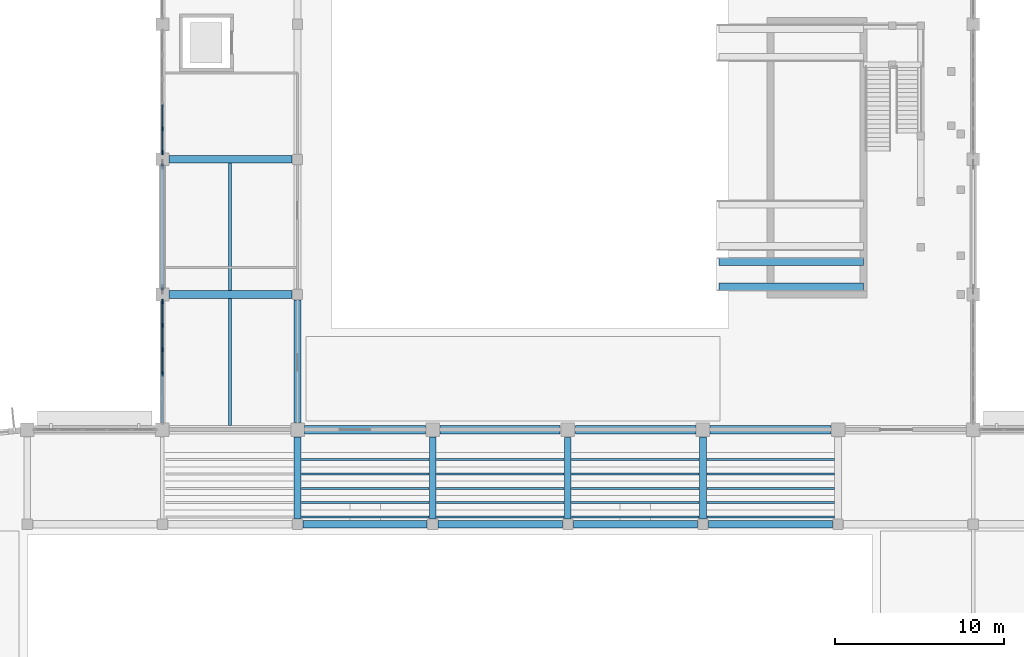
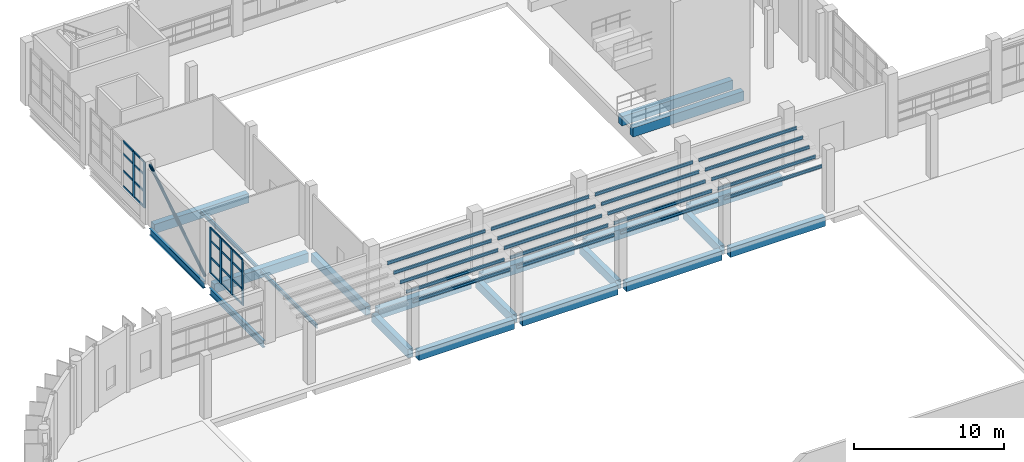
# One storey, part 27 of 103: 41 beams, 27 members, 2 elements without a shape of their own.
"""IFC4 building model written with IfcOpenShell, lengths in metres."""

from ifc_helpers import new_model, si_unit, direction, frame, origin, origin_2d, place, context, subcontext, project, spatial, rectangle, hollow_circle, i_section, extrude, material, layer, layer_set, material_profile, profile_set, type_object, element, aggregate, save


model = new_model("IFC4")

# Units and contexts
model_context = context("Model", 3, precision=1e-05, world=origin(), true_north=direction((0.0, 1.0)))
body_context = subcontext(model_context, "Body", "Model", "MODEL_VIEW")
ifc_project = project(units=[si_unit("LENGTHUNIT", "METRE"), si_unit("AREAUNIT", "SQUARE_METRE"), si_unit("VOLUMEUNIT", "CUBIC_METRE"), si_unit("PLANEANGLEUNIT", "RADIAN"), si_unit("MASSUNIT", "GRAM", prefix="KILO")], contexts=[model_context])

# Site, building, storey
site_placement = place(None, origin())
site = spatial("IfcSite", under=ifc_project, at=site_placement, CompositionType="ELEMENT")
building_placement = place(site_placement, origin())
building = spatial("IfcBuilding", under=site, at=building_placement, Name="Drelvana Railside Aquatics Centre", CompositionType="ELEMENT")
storey_placement = place(building_placement, origin())
storey = spatial("IfcBuildingStorey", under=building, at=storey_placement, Name="L00", CompositionType="ELEMENT", Elevation=0.0)

# Curtain wall, members
ifc_material_1 = material(Name="Bronze-anodised aluminium curtain wall", Category="aluminium")
ifc_layer = layer(ifc_material_1, 0.2099609375, Name="Bronze-anodised aluminium curtain wall")
ifc_layer_set = layer_set([ifc_layer], Name="Bronze-anodised aluminium curtain wall")
curtain_wall_type = type_object("IfcCurtainWallType", Name="CW-Z7-DIVE", PredefinedType="NOTDEFINED", material=ifc_layer_set)
curtain_wall_1_placement = place(storey_placement, origin())
curtain_wall_1 = element("IfcCurtainWall", 1, at=curtain_wall_1_placement, inside=storey, type_object=curtain_wall_type, Name="Curtain wall CW-07-081", PredefinedType="NOTDEFINED")
ifc_material_2 = material(Name="Bronze-anodised aluminium 6063-T6", Category="aluminium")
ifc_material_profile_1 = material_profile(ifc_material_2, rectangle(XDim=0.080078125, YDim=0.25, at=origin_2d()), Name="ALU-M 80x250")
ifc_profile_set_1 = profile_set([ifc_material_profile_1], Name="Bronze-anodised aluminium 6063-T6")
member_type_1 = type_object("IfcMemberType", Name="CW-Z7-DIVE-MUL", PredefinedType="MULLION", material=ifc_profile_set_1)
member_1_placement = place(storey_placement, frame((24.0, 87.288818359375, 0.843994140625), z_axis=(0.0, 0.0, 1.0), x_axis=(-1.0, 0.0, 0.0)))
member_1 = element("IfcMember", 2, at=member_1_placement, type_object=member_type_1, Name="CW-07 mullion 3", PredefinedType="MULLION", context=body_context, shape_type="SweptSolid", body=[
    extrude(rectangle(XDim=0.080078125, YDim=0.25, at=origin_2d()), origin(), (0.0, 0.0, 1.0), 3.7109375),
])
member_2_placement = place(storey_placement, frame((24.0, 88.736083984375, 0.843994140625), z_axis=(0.0, 0.0, 1.0), x_axis=(-1.0, 0.0, 0.0)))
member_2 = element("IfcMember", 3, at=member_2_placement, type_object=member_type_1, Name="CW-07 mullion 4", PredefinedType="MULLION", context=body_context, shape_type="SweptSolid", body=[
    extrude(rectangle(XDim=0.080078125, YDim=0.25, at=origin_2d()), origin(), (0.0, 0.0, 1.0), 3.7109375),
])
member_3_placement = place(storey_placement, frame((24.0, 90.18359375, 0.843994140625), z_axis=(0.0, 0.0, 1.0), x_axis=(-1.0, 0.0, 0.0)))
member_3 = element("IfcMember", 4, at=member_3_placement, type_object=member_type_1, Name="CW-07 mullion 5", PredefinedType="MULLION", context=body_context, shape_type="SweptSolid", body=[
    extrude(rectangle(XDim=0.080078125, YDim=0.25, at=origin_2d()), origin(), (0.0, 0.0, 1.0), 3.7109375),
])
member_4_placement = place(storey_placement, frame((24.0, 91.591064453125, 0.843994140625), z_axis=(0.0, 0.0, 1.0), x_axis=(-1.0, 0.0, 0.0)))
member_4 = element("IfcMember", 5, at=member_4_placement, type_object=member_type_1, Name="CW-07 mullion 6", PredefinedType="MULLION", context=body_context, shape_type="SweptSolid", body=[
    extrude(rectangle(XDim=0.080078125, YDim=0.25, at=origin_2d()), origin(), (0.0, 0.0, 1.0), 3.7109375),
])

curtain_wall_2_placement = place(storey_placement, origin())
curtain_wall_2 = element("IfcCurtainWall", 6, at=curtain_wall_2_placement, inside=storey, type_object=curtain_wall_type, Name="Curtain wall CW-07-084", PredefinedType="NOTDEFINED")
member_5_placement = place(storey_placement, frame((24.0, 100.408935546875, 0.843994140625), z_axis=(0.0, 0.0, 1.0), x_axis=(-1.0, 0.0, 0.0)))
member_5 = element("IfcMember", 7, at=member_5_placement, type_object=member_type_1, Name="CW-07 mullion 1", PredefinedType="MULLION", context=body_context, shape_type="SweptSolid", body=[
    extrude(rectangle(XDim=0.080078125, YDim=0.25, at=origin_2d()), origin(), (0.0, 0.0, 1.0), 3.7109375),
])
member_6_placement = place(storey_placement, frame((24.0, 101.8212890625, 0.843994140625), z_axis=(0.0, 0.0, 1.0), x_axis=(-1.0, 0.0, 0.0)))
member_6 = element("IfcMember", 8, at=member_6_placement, type_object=member_type_1, Name="CW-07 mullion 2", PredefinedType="MULLION", context=body_context, shape_type="SweptSolid", body=[
    extrude(rectangle(XDim=0.080078125, YDim=0.25, at=origin_2d()), origin(), (0.0, 0.0, 1.0), 3.7109375),
])

# Member
ifc_material_profile_2 = material_profile(ifc_material_2, rectangle(XDim=0.159912109375, YDim=0.070068359375, at=origin_2d()), Name="ALU-T 70x160")
ifc_profile_set_2 = profile_set([ifc_material_profile_2], Name="Bronze-anodised aluminium 6063-T6")
member_type_2 = type_object("IfcMemberType", Name="CW-Z7-DIVE-TRN", PredefinedType="USERDEFINED", material=ifc_profile_set_2)
member_7_placement = place(storey_placement, frame((24.0, 87.32373046875, 0.87890625), z_axis=(0.0, 1.0, 0.0), x_axis=(0.0, 0.0, 1.0)))
member_7 = element("IfcMember", 9, at=member_7_placement, type_object=member_type_2, Name="CW-07 transom 3.1", ObjectType="TRANSOM", PredefinedType="USERDEFINED", context=body_context, shape_type="SweptSolid", body=[
    extrude(rectangle(XDim=0.159912109375, YDim=0.070068359375, at=origin_2d()), origin(), (0.0, 0.0, 1.0), 1.37744140625),
])

member_8_placement = place(storey_placement, frame((24.0, 87.32373046875, 2.14306640625), z_axis=(0.0, 1.0, 0.0), x_axis=(0.0, 0.0, 1.0)))
member_8 = element("IfcMember", 10, at=member_8_placement, type_object=member_type_2, Name="CW-07 transom 3.2", ObjectType="TRANSOM", PredefinedType="USERDEFINED", context=body_context, shape_type="SweptSolid", body=[
    extrude(rectangle(XDim=0.159912109375, YDim=0.070068359375, at=origin_2d()), origin(), (0.0, 0.0, 1.0), 1.37744140625),
])

member_9_placement = place(storey_placement, frame((24.0, 87.32373046875, 3.51611328125), z_axis=(0.0, 1.0, 0.0), x_axis=(0.0, 0.0, 1.0)))
member_9 = element("IfcMember", 11, at=member_9_placement, type_object=member_type_2, Name="CW-07 transom 3.3", ObjectType="TRANSOM", PredefinedType="USERDEFINED", context=body_context, shape_type="SweptSolid", body=[
    extrude(rectangle(XDim=0.159912109375, YDim=0.070068359375, at=origin_2d()), origin(), (0.0, 0.0, 1.0), 1.37744140625),
])

member_10_placement = place(storey_placement, frame((24.0, 87.32373046875, 4.52001953125), z_axis=(0.0, 1.0, 0.0), x_axis=(0.0, 0.0, 1.0)))
member_10 = element("IfcMember", 12, at=member_10_placement, type_object=member_type_2, Name="CW-07 transom 3.4", ObjectType="TRANSOM", PredefinedType="USERDEFINED", context=body_context, shape_type="SweptSolid", body=[
    extrude(rectangle(XDim=0.159912109375, YDim=0.070068359375, at=origin_2d()), origin(), (0.0, 0.0, 1.0), 1.37744140625),
])

member_11_placement = place(storey_placement, frame((24.0, 88.771240234375, 0.87890625), z_axis=(0.0, 1.0, 0.0), x_axis=(0.0, 0.0, 1.0)))
member_11 = element("IfcMember", 13, at=member_11_placement, type_object=member_type_2, Name="CW-07 transom 4.1", ObjectType="TRANSOM", PredefinedType="USERDEFINED", context=body_context, shape_type="SweptSolid", body=[
    extrude(rectangle(XDim=0.159912109375, YDim=0.070068359375, at=origin_2d()), origin(), (0.0, 0.0, 1.0), 1.37744140625),
])

member_12_placement = place(storey_placement, frame((24.0, 88.771240234375, 2.14306640625), z_axis=(0.0, 1.0, 0.0), x_axis=(0.0, 0.0, 1.0)))
member_12 = element("IfcMember", 14, at=member_12_placement, type_object=member_type_2, Name="CW-07 transom 4.2", ObjectType="TRANSOM", PredefinedType="USERDEFINED", context=body_context, shape_type="SweptSolid", body=[
    extrude(rectangle(XDim=0.159912109375, YDim=0.070068359375, at=origin_2d()), origin(), (0.0, 0.0, 1.0), 1.37744140625),
])

member_13_placement = place(storey_placement, frame((24.0, 88.771240234375, 3.51611328125), z_axis=(0.0, 1.0, 0.0), x_axis=(0.0, 0.0, 1.0)))
member_13 = element("IfcMember", 15, at=member_13_placement, type_object=member_type_2, Name="CW-07 transom 4.3", ObjectType="TRANSOM", PredefinedType="USERDEFINED", context=body_context, shape_type="SweptSolid", body=[
    extrude(rectangle(XDim=0.159912109375, YDim=0.070068359375, at=origin_2d()), origin(), (0.0, 0.0, 1.0), 1.37744140625),
])

member_14_placement = place(storey_placement, frame((24.0, 88.771240234375, 4.52001953125), z_axis=(0.0, 1.0, 0.0), x_axis=(0.0, 0.0, 1.0)))
member_14 = element("IfcMember", 16, at=member_14_placement, type_object=member_type_2, Name="CW-07 transom 4.4", ObjectType="TRANSOM", PredefinedType="USERDEFINED", context=body_context, shape_type="SweptSolid", body=[
    extrude(rectangle(XDim=0.159912109375, YDim=0.070068359375, at=origin_2d()), origin(), (0.0, 0.0, 1.0), 1.37744140625),
])

member_15_placement = place(storey_placement, frame((24.0, 90.218505859375, 0.87890625), z_axis=(0.0, 1.0, 0.0), x_axis=(0.0, 0.0, 1.0)))
member_15 = element("IfcMember", 17, at=member_15_placement, type_object=member_type_2, Name="CW-07 transom 5.1", ObjectType="TRANSOM", PredefinedType="USERDEFINED", context=body_context, shape_type="SweptSolid", body=[
    extrude(rectangle(XDim=0.159912109375, YDim=0.070068359375, at=origin_2d()), origin(), (0.0, 0.0, 1.0), 1.33740234375),
])

member_16_placement = place(storey_placement, frame((24.0, 90.218505859375, 2.14306640625), z_axis=(0.0, 1.0, 0.0), x_axis=(0.0, 0.0, 1.0)))
member_16 = element("IfcMember", 18, at=member_16_placement, type_object=member_type_2, Name="CW-07 transom 5.2", ObjectType="TRANSOM", PredefinedType="USERDEFINED", context=body_context, shape_type="SweptSolid", body=[
    extrude(rectangle(XDim=0.159912109375, YDim=0.070068359375, at=origin_2d()), origin(), (0.0, 0.0, 1.0), 1.33740234375),
])

member_17_placement = place(storey_placement, frame((24.0, 90.218505859375, 3.51611328125), z_axis=(0.0, 1.0, 0.0), x_axis=(0.0, 0.0, 1.0)))
member_17 = element("IfcMember", 19, at=member_17_placement, type_object=member_type_2, Name="CW-07 transom 5.3", ObjectType="TRANSOM", PredefinedType="USERDEFINED", context=body_context, shape_type="SweptSolid", body=[
    extrude(rectangle(XDim=0.159912109375, YDim=0.070068359375, at=origin_2d()), origin(), (0.0, 0.0, 1.0), 1.33740234375),
])

member_18_placement = place(storey_placement, frame((24.0, 90.218505859375, 4.52001953125), z_axis=(0.0, 1.0, 0.0), x_axis=(0.0, 0.0, 1.0)))
member_18 = element("IfcMember", 20, at=member_18_placement, type_object=member_type_2, Name="CW-07 transom 5.4", ObjectType="TRANSOM", PredefinedType="USERDEFINED", context=body_context, shape_type="SweptSolid", body=[
    extrude(rectangle(XDim=0.159912109375, YDim=0.070068359375, at=origin_2d()), origin(), (0.0, 0.0, 1.0), 1.33740234375),
])

aggregate(curtain_wall_1, [member_1, member_2, member_3, member_4, member_7, member_8, member_9, member_10, member_11, member_12, member_13, member_14, member_15, member_16, member_17, member_18])

member_19_placement = place(storey_placement, frame((24.0, 100.444091796875, 0.87890625), z_axis=(0.0, 1.0, 0.0), x_axis=(0.0, 0.0, 1.0)))
member_19 = element("IfcMember", 21, at=member_19_placement, type_object=member_type_2, Name="CW-07 transom 1.1", ObjectType="TRANSOM", PredefinedType="USERDEFINED", context=body_context, shape_type="SweptSolid", body=[
    extrude(rectangle(XDim=0.159912109375, YDim=0.070068359375, at=origin_2d()), origin(), (0.0, 0.0, 1.0), 1.34228515625),
])

member_20_placement = place(storey_placement, frame((24.0, 100.444091796875, 2.14306640625), z_axis=(0.0, 1.0, 0.0), x_axis=(0.0, 0.0, 1.0)))
member_20 = element("IfcMember", 22, at=member_20_placement, type_object=member_type_2, Name="CW-07 transom 1.2", ObjectType="TRANSOM", PredefinedType="USERDEFINED", context=body_context, shape_type="SweptSolid", body=[
    extrude(rectangle(XDim=0.159912109375, YDim=0.070068359375, at=origin_2d()), origin(), (0.0, 0.0, 1.0), 1.34228515625),
])

member_21_placement = place(storey_placement, frame((24.0, 100.444091796875, 3.51611328125), z_axis=(0.0, 1.0, 0.0), x_axis=(0.0, 0.0, 1.0)))
member_21 = element("IfcMember", 23, at=member_21_placement, type_object=member_type_2, Name="CW-07 transom 1.3", ObjectType="TRANSOM", PredefinedType="USERDEFINED", context=body_context, shape_type="SweptSolid", body=[
    extrude(rectangle(XDim=0.159912109375, YDim=0.070068359375, at=origin_2d()), origin(), (0.0, 0.0, 1.0), 1.34228515625),
])

member_22_placement = place(storey_placement, frame((24.0, 100.444091796875, 4.52001953125), z_axis=(0.0, 1.0, 0.0), x_axis=(0.0, 0.0, 1.0)))
member_22 = element("IfcMember", 24, at=member_22_placement, type_object=member_type_2, Name="CW-07 transom 1.4", ObjectType="TRANSOM", PredefinedType="USERDEFINED", context=body_context, shape_type="SweptSolid", body=[
    extrude(rectangle(XDim=0.159912109375, YDim=0.070068359375, at=origin_2d()), origin(), (0.0, 0.0, 1.0), 1.34228515625),
])

member_23_placement = place(storey_placement, frame((24.0, 101.8564453125, 0.87890625), z_axis=(0.0, 1.0, 0.0), x_axis=(0.0, 0.0, 1.0)))
member_23 = element("IfcMember", 25, at=member_23_placement, type_object=member_type_2, Name="CW-07 transom 2.1", ObjectType="TRANSOM", PredefinedType="USERDEFINED", context=body_context, shape_type="SweptSolid", body=[
    extrude(rectangle(XDim=0.159912109375, YDim=0.070068359375, at=origin_2d()), origin(), (0.0, 0.0, 1.0), 1.38232421875),
])

member_24_placement = place(storey_placement, frame((24.0, 101.8564453125, 2.14306640625), z_axis=(0.0, 1.0, 0.0), x_axis=(0.0, 0.0, 1.0)))
member_24 = element("IfcMember", 26, at=member_24_placement, type_object=member_type_2, Name="CW-07 transom 2.2", ObjectType="TRANSOM", PredefinedType="USERDEFINED", context=body_context, shape_type="SweptSolid", body=[
    extrude(rectangle(XDim=0.159912109375, YDim=0.070068359375, at=origin_2d()), origin(), (0.0, 0.0, 1.0), 1.38232421875),
])

member_25_placement = place(storey_placement, frame((24.0, 101.8564453125, 3.51611328125), z_axis=(0.0, 1.0, 0.0), x_axis=(0.0, 0.0, 1.0)))
member_25 = element("IfcMember", 27, at=member_25_placement, type_object=member_type_2, Name="CW-07 transom 2.3", ObjectType="TRANSOM", PredefinedType="USERDEFINED", context=body_context, shape_type="SweptSolid", body=[
    extrude(rectangle(XDim=0.159912109375, YDim=0.070068359375, at=origin_2d()), origin(), (0.0, 0.0, 1.0), 1.38232421875),
])

member_26_placement = place(storey_placement, frame((24.0, 101.8564453125, 4.52001953125), z_axis=(0.0, 1.0, 0.0), x_axis=(0.0, 0.0, 1.0)))
member_26 = element("IfcMember", 28, at=member_26_placement, type_object=member_type_2, Name="CW-07 transom 2.4", ObjectType="TRANSOM", PredefinedType="USERDEFINED", context=body_context, shape_type="SweptSolid", body=[
    extrude(rectangle(XDim=0.159912109375, YDim=0.070068359375, at=origin_2d()), origin(), (0.0, 0.0, 1.0), 1.38232421875),
])

aggregate(curtain_wall_2, [member_5, member_6, member_19, member_20, member_21, member_22, member_23, member_24, member_25, member_26])

# Beams
ifc_material_3 = material(Name="Concrete C40/50", Category="concrete")
ifc_material_profile_3 = material_profile(ifc_material_3, rectangle(XDim=0.39990234375, YDim=0.699951171875, at=origin_2d()), Name="RC 400x700")
ifc_profile_set_3 = profile_set([ifc_material_profile_3], Name="Concrete C40/50")
beam_type_1 = type_object("IfcBeamType", Name="STR-BM-BM-03-RC-400x700", PredefinedType="BEAM", material=ifc_profile_set_3)
beam_1_placement = place(storey_placement, frame((32.0, 78.72509765625, -0.679931640625), z_axis=(0.0, 1.0, 0.0), x_axis=(-1.0, 0.0, 0.0)))
element("IfcBeam", 29, at=beam_1_placement, inside=storey, type_object=beam_type_1, Name="Girder BM-03 (L00)", PredefinedType="BEAM", context=body_context, shape_type="SweptSolid", body=[
    extrude(rectangle(XDim=0.39990234375, YDim=0.699951171875, at=origin_2d()), origin(), (0.0, 0.0, 1.0), 4.849853515625),
])
beam_2_placement = place(storey_placement, frame((32.0, 84.425048828125, -0.679931640625), z_axis=(0.0, 1.0, 0.0), x_axis=(-1.0, 0.0, 0.0)))
element("IfcBeam", 30, at=beam_2_placement, inside=storey, type_object=beam_type_1, Name="Girder BM-03 (L00)", PredefinedType="BEAM", context=body_context, shape_type="SweptSolid", body=[
    extrude(rectangle(XDim=0.39990234375, YDim=0.699951171875, at=origin_2d()), origin(), (0.0, 0.0, 1.0), 7.25),
])
beam_3_placement = place(storey_placement, frame((40.0, 78.72509765625, -0.679931640625), z_axis=(0.0, 1.0, 0.0), x_axis=(-1.0, 0.0, 0.0)))
element("IfcBeam", 31, at=beam_3_placement, inside=storey, type_object=beam_type_1, Name="Girder BM-03 (L00)", PredefinedType="BEAM", context=body_context, shape_type="SweptSolid", body=[
    extrude(rectangle(XDim=0.39990234375, YDim=0.699951171875, at=origin_2d()), origin(), (0.0, 0.0, 1.0), 4.849853515625),
])
beam_4_placement = place(storey_placement, frame((48.0, 78.72509765625, -0.679931640625), z_axis=(0.0, 1.0, 0.0), x_axis=(-1.0, 0.0, 0.0)))
element("IfcBeam", 32, at=beam_4_placement, inside=storey, type_object=beam_type_1, Name="Girder BM-03 (L00)", PredefinedType="BEAM", context=body_context, shape_type="SweptSolid", body=[
    extrude(rectangle(XDim=0.39990234375, YDim=0.699951171875, at=origin_2d()), origin(), (0.0, 0.0, 1.0), 4.824951171875),
])
beam_5_placement = place(storey_placement, frame((56.0, 78.72509765625, -0.679931640625), z_axis=(0.0, 1.0, 0.0), x_axis=(-1.0, 0.0, 0.0)))
element("IfcBeam", 33, at=beam_5_placement, inside=storey, type_object=beam_type_1, Name="Girder BM-03 (L00)", PredefinedType="BEAM", context=body_context, shape_type="SweptSolid", body=[
    extrude(rectangle(XDim=0.39990234375, YDim=0.699951171875, at=origin_2d()), origin(), (0.0, 0.0, 1.0), 4.849853515625),
])
ifc_material_profile_4 = material_profile(ifc_material_3, rectangle(XDim=0.449951171875, YDim=0.75, at=origin_2d()), Name="RC 450x750")
ifc_profile_set_4 = profile_set([ifc_material_profile_4], Name="Concrete C40/50")
beam_type_2 = type_object("IfcBeamType", Name="STR-BM-BM-04-RC-450x750", PredefinedType="BEAM", material=ifc_profile_set_4)
for number, where, z_axis, x_axis, name in (
    (34, (32.324951171875, 78.39990234375, -0.705078125), (1.0, 0.0, 0.0), (0.0, 1.0, 0.0), "Girder BM-04 (L00)"),
    (35, (40.324951171875, 78.39990234375, -0.705078125), (1.0, 0.0, 0.0), (0.0, 1.0, 0.0), "Girder BM-04 (L00)"),
    (36, (48.324951171875, 78.39990234375, -0.705078125), (1.0, 0.0, 0.0), (0.0, 1.0, 0.0), "Girder BM-04 (L00)"),
    (37, (56.324951171875, 78.39990234375, -0.705078125), (1.0, 0.0, 0.0), (0.0, 1.0, 0.0), "Girder BM-04 (L00)"),
):
    element("IfcBeam", number, at=place(storey_placement, frame(where, z_axis=z_axis, x_axis=x_axis)), inside=storey, type_object=beam_type_2, Name=name, PredefinedType="BEAM", context=body_context, shape_type="SweptSolid", body=[
        extrude(rectangle(XDim=0.449951171875, YDim=0.75, at=origin_2d()), origin(), (0.0, 0.0, 1.0), 7.35009765625),
    ])
for number, where, z_axis, x_axis, name in (
    (38, (24.39990234375, 92.0, -0.705078125), (1.0, 0.0, 0.0), (0.0, 1.0, 0.0), "Girder BM-04 (L00)"),
    (39, (24.39990234375, 100.0, -0.705078125), (1.0, 0.0, 0.0), (0.0, 1.0, 0.0), "Girder BM-04 (L00)"),
):
    element("IfcBeam", number, at=place(storey_placement, frame(where, z_axis=z_axis, x_axis=x_axis)), inside=storey, type_object=beam_type_2, Name=name, PredefinedType="BEAM", context=body_context, shape_type="SweptSolid", body=[
        extrude(rectangle(XDim=0.449951171875, YDim=0.75, at=origin_2d()), origin(), (0.0, 0.0, 1.0), 7.275146484375),
    ])
for number, where, z_axis, x_axis, name in (
    (40, (65.5, 92.449951171875, 0.364990234375), (-1.0, 0.0, 0.0), (0.0, -1.0, 0.0), "Diving platform 1M support beam 1"),
    (41, (65.5, 93.949951171875, 0.364990234375), (-1.0, 0.0, 0.0), (0.0, -1.0, 0.0), "Diving platform 1M support beam 2"),
):
    element("IfcBeam", number, at=place(storey_placement, frame(where, z_axis=z_axis, x_axis=x_axis)), inside=storey, type_object=beam_type_2, Name=name, PredefinedType="BEAM", context=body_context, shape_type="SweptSolid", body=[
        extrude(rectangle(XDim=0.449951171875, YDim=0.75, at=origin_2d()), origin(), (0.0, 0.0, 1.0), 8.550048828125),
    ])
ifc_material_profile_5 = material_profile(ifc_material_3, rectangle(XDim=0.5, YDim=0.800048828125, at=origin_2d()), Name="RC 500x800")
ifc_profile_set_5 = profile_set([ifc_material_profile_5], Name="Concrete C40/50")
beam_type_3 = type_object("IfcBeamType", Name="STR-BM-BM-06-RC-500x800", PredefinedType="SPANDREL", material=ifc_profile_set_5)
beam_6_placement = place(storey_placement, frame((32.425048828125, 84.0, -0.72998046875), z_axis=(1.0, 0.0, 0.0), x_axis=(0.0, 1.0, 0.0)))
element("IfcBeam", 42, at=beam_6_placement, inside=storey, type_object=beam_type_3, Name="Girder BM-06 (L00)", PredefinedType="SPANDREL", context=body_context, shape_type="SweptSolid", body=[
    extrude(rectangle(XDim=0.5, YDim=0.800048828125, at=origin_2d()), origin(), (0.0, 0.0, 1.0), 7.14990234375),
])
for number, where, z_axis, x_axis, name in (
    (43, (40.425048828125, 84.0, -0.72998046875), (1.0, 0.0, 0.0), (0.0, 1.0, 0.0), "Girder BM-06 (L00)"),
    (44, (48.449951171875, 84.0, -0.72998046875), (1.0, 0.0, 0.0), (0.0, 1.0, 0.0), "Girder BM-06 (L00)"),
):
    element("IfcBeam", number, at=place(storey_placement, frame(where, z_axis=z_axis, x_axis=x_axis)), inside=storey, type_object=beam_type_3, Name=name, PredefinedType="SPANDREL", context=body_context, shape_type="SweptSolid", body=[
        extrude(rectangle(XDim=0.5, YDim=0.800048828125, at=origin_2d()), origin(), (0.0, 0.0, 1.0), 7.125),
    ])
beam_7_placement = place(storey_placement, frame((56.425048828125, 84.0, -0.72998046875), z_axis=(1.0, 0.0, 0.0), x_axis=(0.0, 1.0, 0.0)))
element("IfcBeam", 45, at=beam_7_placement, inside=storey, type_object=beam_type_3, Name="Girder BM-06 (L00)", PredefinedType="SPANDREL", context=body_context, shape_type="SweptSolid", body=[
    extrude(rectangle(XDim=0.5, YDim=0.800048828125, at=origin_2d()), origin(), (0.0, 0.0, 1.0), 7.14990234375),
])

# Member
ifc_material_4 = material(Name="Structural steel S355", Category="steel")
ifc_material_profile_6 = material_profile(ifc_material_4, hollow_circle(Radius=0.109619140625, WallThickness=0.010009765625, at=origin_2d()), Name="CHS 219.1x10")
ifc_profile_set_6 = profile_set([ifc_material_profile_6], Name="Structural steel S355")
member_type_3 = type_object("IfcMemberType", Name="STR-MBR-BR-02", PredefinedType="BRACE", material=ifc_profile_set_6)
member_27_placement = place(storey_placement, frame((24.0, 92.300048828125, 0.14990234375), z_axis=(0.0, 0.846699473913, 0.5320714246), x_axis=(-1.0, 0.0, 0.0)))
element("IfcMember", 46, at=member_27_placement, inside=storey, type_object=member_type_3, Name="Lateral frame brace BR-03 (L00)", PredefinedType="BRACE", context=body_context, shape_type="SweptSolid", body=[
    extrude(hollow_circle(Radius=0.109619140625, WallThickness=0.010009765625, at=origin_2d()), origin(), (0.0, 0.0, 1.0), 8.73974609375),
])

# Beams
ifc_material_profile_7 = material_profile(ifc_material_4, i_section(OverallWidth=0.2099609375, OverallDepth=0.550048828125, WebThickness=0.010986328125, FlangeThickness=0.01708984375, at=origin_2d()), Name="IPE 550")
ifc_profile_set_7 = profile_set([ifc_material_profile_7], Name="Structural steel S355")
beam_type_4 = type_object("IfcBeamType", Name="STR-SBM-SB-04-IPE-550", PredefinedType="SPANDREL", material=ifc_profile_set_7)
beam_8_placement = place(storey_placement, frame((24.0, 84.425048828125, -0.60498046875), z_axis=(0.0, 1.0, 0.0), x_axis=(-1.0, 0.0, 0.0)))
element("IfcBeam", 47, at=beam_8_placement, inside=storey, type_object=beam_type_4, Name="Girder SB-04 (L00)", PredefinedType="SPANDREL", context=body_context, shape_type="SweptSolid", body=[
    extrude(i_section(OverallWidth=0.2099609375, OverallDepth=0.550048828125, WebThickness=0.010986328125, FlangeThickness=0.01708984375, at=origin_2d()), origin(), (0.0, 0.0, 1.0), 7.175048828125),
])
beam_9_placement = place(storey_placement, frame((24.0, 92.39990234375, -0.60498046875), z_axis=(0.0, 1.0, 0.0), x_axis=(-1.0, 0.0, 0.0)))
element("IfcBeam", 48, at=beam_9_placement, inside=storey, type_object=beam_type_4, Name="Girder SB-04 (L00)", PredefinedType="SPANDREL", context=body_context, shape_type="SweptSolid", body=[
    extrude(i_section(OverallWidth=0.2099609375, OverallDepth=0.550048828125, WebThickness=0.010986328125, FlangeThickness=0.01708984375, at=origin_2d()), origin(), (0.0, 0.0, 1.0), 7.2001953125),
])
ifc_material_profile_8 = material_profile(ifc_material_4, i_section(OverallWidth=0.1201171875, OverallDepth=0.239990234375, WebThickness=0.006103515625, FlangeThickness=0.009765625, at=origin_2d()), Name="IPE 240")
ifc_profile_set_8 = profile_set([ifc_material_profile_8], Name="Structural steel S355")
beam_type_5 = type_object("IfcBeamType", Name="STR-SBM-SJ-01-IPE-240", PredefinedType="JOIST", material=ifc_profile_set_8)
for number, where, z_axis, x_axis, name in (
    (49, (32.22509765625, 78.824951171875, 3.38623046875), (1.0, 0.0, 0.0), (0.0, 1.0, 0.0), "Lower stand tier bearer N2.R1"),
    (50, (32.22509765625, 79.675048828125, 3.64892578125), (1.0, 0.0, 0.0), (0.0, 1.0, 0.0), "Lower stand tier bearer N2.R2"),
    (51, (32.22509765625, 80.52490234375, 3.91162109375), (1.0, 0.0, 0.0), (0.0, 1.0, 0.0), "Lower stand tier bearer N2.R3"),
    (52, (32.22509765625, 81.375, 4.174072265625), (1.0, 0.0, 0.0), (0.0, 1.0, 0.0), "Lower stand tier bearer N2.R4"),
    (53, (32.22509765625, 82.22509765625, 4.436767578125), (1.0, 0.0, 0.0), (0.0, 1.0, 0.0), "Lower stand tier bearer N2.R5"),
    (54, (40.22509765625, 78.824951171875, 3.38623046875), (1.0, 0.0, 0.0), (0.0, 1.0, 0.0), "Lower stand tier bearer N3.R1"),
    (55, (40.22509765625, 79.675048828125, 3.64892578125), (1.0, 0.0, 0.0), (0.0, 1.0, 0.0), "Lower stand tier bearer N3.R2"),
    (56, (40.22509765625, 80.52490234375, 3.91162109375), (1.0, 0.0, 0.0), (0.0, 1.0, 0.0), "Lower stand tier bearer N3.R3"),
    (57, (40.22509765625, 81.375, 4.174072265625), (1.0, 0.0, 0.0), (0.0, 1.0, 0.0), "Lower stand tier bearer N3.R4"),
    (58, (40.22509765625, 82.22509765625, 4.436767578125), (1.0, 0.0, 0.0), (0.0, 1.0, 0.0), "Lower stand tier bearer N3.R5"),
    (59, (48.22509765625, 78.824951171875, 3.38623046875), (1.0, 0.0, 0.0), (0.0, 1.0, 0.0), "Lower stand tier bearer N4.R1"),
    (60, (48.22509765625, 79.675048828125, 3.64892578125), (1.0, 0.0, 0.0), (0.0, 1.0, 0.0), "Lower stand tier bearer N4.R2"),
    (61, (48.22509765625, 80.52490234375, 3.91162109375), (1.0, 0.0, 0.0), (0.0, 1.0, 0.0), "Lower stand tier bearer N4.R3"),
    (62, (48.22509765625, 81.375, 4.174072265625), (1.0, 0.0, 0.0), (0.0, 1.0, 0.0), "Lower stand tier bearer N4.R4"),
    (63, (48.22509765625, 82.22509765625, 4.436767578125), (1.0, 0.0, 0.0), (0.0, 1.0, 0.0), "Lower stand tier bearer N4.R5"),
    (64, (56.22509765625, 78.824951171875, 3.38623046875), (1.0, 0.0, 0.0), (0.0, 1.0, 0.0), "Lower stand tier bearer N5.R1"),
    (65, (56.22509765625, 79.675048828125, 3.64892578125), (1.0, 0.0, 0.0), (0.0, 1.0, 0.0), "Lower stand tier bearer N5.R2"),
    (66, (56.22509765625, 80.52490234375, 3.91162109375), (1.0, 0.0, 0.0), (0.0, 1.0, 0.0), "Lower stand tier bearer N5.R3"),
    (67, (56.22509765625, 81.375, 4.174072265625), (1.0, 0.0, 0.0), (0.0, 1.0, 0.0), "Lower stand tier bearer N5.R4"),
    (68, (56.22509765625, 82.22509765625, 4.436767578125), (1.0, 0.0, 0.0), (0.0, 1.0, 0.0), "Lower stand tier bearer N5.R5"),
):
    element("IfcBeam", number, at=place(storey_placement, frame(where, z_axis=z_axis, x_axis=x_axis)), inside=storey, type_object=beam_type_5, Name=name, PredefinedType="JOIST", context=body_context, shape_type="SweptSolid", body=[
        extrude(i_section(OverallWidth=0.1201171875, OverallDepth=0.239990234375, WebThickness=0.006103515625, FlangeThickness=0.009765625, at=origin_2d()), origin(), (0.0, 0.0, 1.0), 7.5498046875),
    ])
ifc_material_profile_9 = material_profile(ifc_material_4, i_section(OverallWidth=0.14990234375, OverallDepth=0.300048828125, WebThickness=0.007080078125, FlangeThickness=0.0107421875, at=origin_2d()), Name="IPE 300")
ifc_profile_set_9 = profile_set([ifc_material_profile_9], Name="Structural steel S355")
beam_type_6 = type_object("IfcBeamType", Name="STR-SBM-SJ-03-IPE-300", PredefinedType="JOIST", material=ifc_profile_set_9)
beam_10_placement = place(storey_placement, frame((28.0, 84.25, -0.47998046875), z_axis=(0.0, 1.0, 0.0), x_axis=(-1.0, 0.0, 0.0)))
element("IfcBeam", 69, at=beam_10_placement, inside=storey, type_object=beam_type_6, Name="Secondary floor joist SJ-03 (L00)", PredefinedType="JOIST", context=body_context, shape_type="SweptSolid", body=[
    extrude(i_section(OverallWidth=0.14990234375, OverallDepth=0.300048828125, WebThickness=0.007080078125, FlangeThickness=0.0107421875, at=origin_2d()), origin(), (0.0, 0.0, 1.0), 7.52490234375),
])
beam_11_placement = place(storey_placement, frame((28.0, 92.22509765625, -0.47998046875), z_axis=(0.0, 1.0, 0.0), x_axis=(-1.0, 0.0, 0.0)))
element("IfcBeam", 70, at=beam_11_placement, inside=storey, type_object=beam_type_6, Name="Secondary floor joist SJ-03 (L00)", PredefinedType="JOIST", context=body_context, shape_type="SweptSolid", body=[
    extrude(i_section(OverallWidth=0.14990234375, OverallDepth=0.300048828125, WebThickness=0.007080078125, FlangeThickness=0.0107421875, at=origin_2d()), origin(), (0.0, 0.0, 1.0), 7.5498046875),
])

save(model, "model.ifc")
